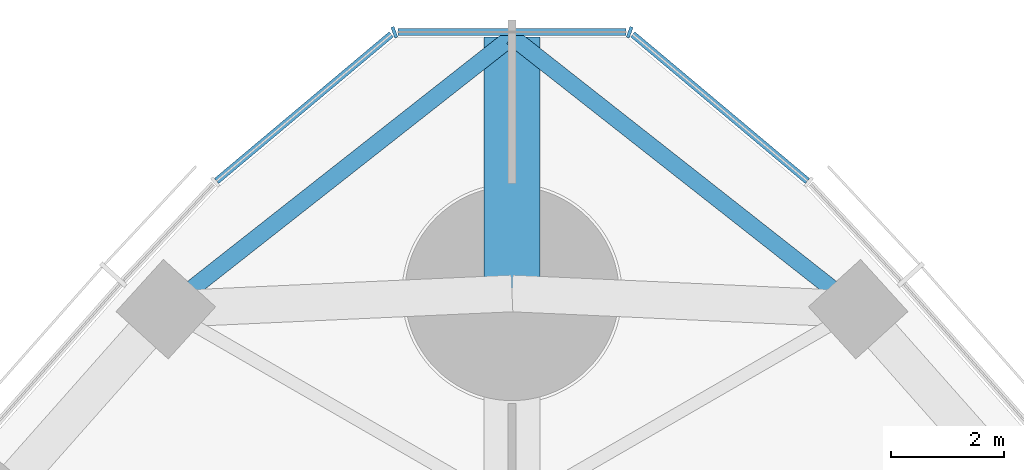
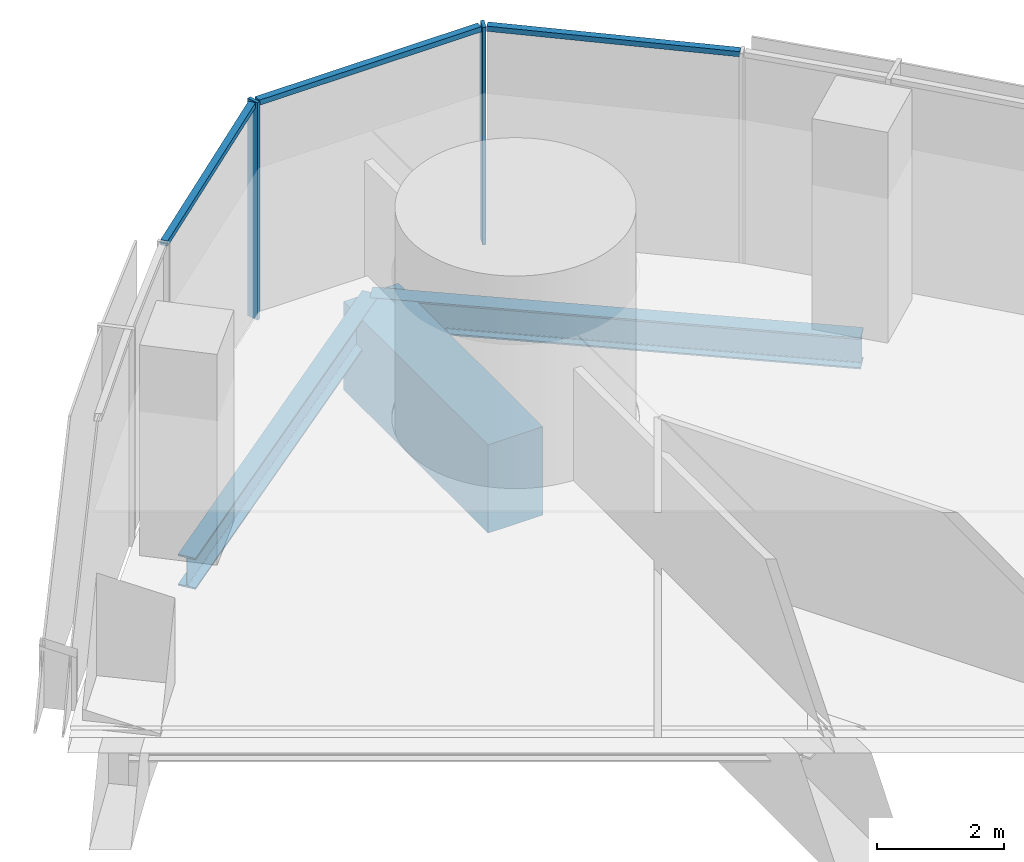
# One storey, part 9 of 21: 5 members, 3 beams, 1 element without a shape of its own.
"""IFC4 building model written with IfcOpenShell, lengths in metres."""

import ifcopenshell
import ifcopenshell.guid

model = None  # the IFC model being written
_history = None  # IfcOwnerHistory: only IFC2X3 demands one
_inside = {}  # id of a spatial element -> (the spatial element, [elements in it])
_under = {}  # id of a project, library or spatial element -> (it, [spatial elements below it])
_declared = {}  # id of a project -> (the project, [libraries it declares])
_typed = {}  # id of a type object -> (the type object, [elements of that type])
_made_of = {}  # id of a material, layer set ... -> (it, [elements and type objects made of it])


def new_model(schema):
    """Start an empty IFC model of exactly this schema.

    Asked for "IFC4X3", IfcOpenShell would pick the latest addendum, in which some entities
    have other attributes; the version numbers below select the first issue.
    IFC2X3 requires an IfcOwnerHistory on every rooted entity: one is made here for all.
    """
    global model, _history
    if schema == "IFC4X3":
        model = ifcopenshell.file(schema_version=(4, 3, 0, 0))
    else:
        model = ifcopenshell.file(schema=schema)
    _inside.clear()
    _under.clear()
    _declared.clear()
    _typed.clear()
    _made_of.clear()
    _history = None
    if model.schema == "IFC2X3":
        org = make("IfcOrganization", Name="unknown")
        user = make(
            "IfcPersonAndOrganization",
            ThePerson=make("IfcPerson", FamilyName="unknown"),
            TheOrganization=org,
        )
        app = make(
            "IfcApplication",
            ApplicationDeveloper=org,
            Version="unknown",
            ApplicationFullName="unknown",
            ApplicationIdentifier="unknown",
        )
        _history = make(
            "IfcOwnerHistory",
            OwningUser=user,
            OwningApplication=app,
            ChangeAction="ADDED",
            CreationDate=0,
        )
    return model


def make(cls, **values):
    """One entity of the class cls with the attributes given. An attribute that is None is left unset."""
    return model.create_entity(
        cls, **{name: value for name, value in values.items() if value is not None}
    )


def rooted(cls, **values):
    """An entity with a GlobalId (a new one), such as an element, a storey or a relation."""
    return make(cls, GlobalId=ifcopenshell.guid.new(), OwnerHistory=_history, **values)


def si_unit(unit_type, name, prefix=None):
    """IfcSIUnit, for example si_unit("LENGTHUNIT", "METRE", prefix="MILLI")."""
    return make("IfcSIUnit", UnitType=unit_type, Prefix=prefix, Name=name)


def assignment(units):
    """IfcUnitAssignment: the units of a project."""
    return None if units is None else make("IfcUnitAssignment", Units=units)


def point(xyz):
    """IfcCartesianPoint."""
    return None if xyz is None else make("IfcCartesianPoint", Coordinates=xyz)


def direction(xyz):
    """IfcDirection."""
    return None if xyz is None else make("IfcDirection", DirectionRatios=xyz)


def frame(location, z_axis=None, x_axis=None):
    """IfcAxis2Placement3D, a coordinate frame: its origin and axes. An axis left out is left unset."""
    return make(
        "IfcAxis2Placement3D",
        Location=point(location),
        Axis=direction(z_axis),
        RefDirection=direction(x_axis),
    )


def frame_2d(location, x_axis=None):
    """IfcAxis2Placement2D, a coordinate frame in the plane: its origin and x axis."""
    return make(
        "IfcAxis2Placement2D", Location=point(location), RefDirection=direction(x_axis)
    )


def origin():
    """The frame at (0, 0, 0) with its axes left unset."""
    return frame((0.0, 0.0, 0.0))


def origin_2d():
    """The frame at (0, 0) in the plane with its x axis left unset."""
    return frame_2d((0.0, 0.0))


def place(relative_to, where):
    """IfcLocalPlacement: puts the frame where relative to a parent placement (None: the world)."""
    return make(
        "IfcLocalPlacement", PlacementRelTo=relative_to, RelativePlacement=where
    )


def context(
    kind, dimensions, precision=None, world=None, true_north=None, identifier=None
):
    """IfcGeometricRepresentationContext, for example the 3D "Model" context."""
    return make(
        "IfcGeometricRepresentationContext",
        ContextIdentifier=identifier,
        ContextType=kind,
        CoordinateSpaceDimension=dimensions,
        Precision=precision,
        WorldCoordinateSystem=world,
        TrueNorth=true_north,
    )


def subcontext(parent, identifier, kind, view, scale=None):
    """IfcGeometricRepresentationSubContext, for example "Body" below "Model"."""
    return make(
        "IfcGeometricRepresentationSubContext",
        ContextIdentifier=identifier,
        ContextType=kind,
        ParentContext=parent,
        TargetScale=scale,
        TargetView=view,
    )


def project(units=None, contexts=None):
    """IfcProject with its units and contexts."""
    return rooted(
        "IfcProject",
        Name="project",
        RepresentationContexts=contexts,
        UnitsInContext=assignment(units),
    )


def spatial(cls, under=None, at=None, **own):
    """A site, building, storey or space (cls), placed at a placement, below another one or the project."""
    s = rooted(cls, ObjectPlacement=at, **own)
    if under is not None:
        _under.setdefault(under.id(), (under, []))[1].append(s)
    return s


def profile(cls, at=None, kind="AREA", **sizes):
    """A parametric profile (cls). Its sizes go by their IFC names, for example OverallWidth=200.0."""
    return make(cls, ProfileType=kind, Position=at, **sizes)


def rectangle(**sizes):
    """IfcRectangleProfileDef."""
    return profile("IfcRectangleProfileDef", **sizes)


def i_section(**sizes):
    """IfcIShapeProfileDef."""
    return profile("IfcIShapeProfileDef", **sizes)


def extrude(swept, where, along, depth):
    """IfcExtrudedAreaSolid: the profile swept, set in the frame where, extruded along a direction by depth."""
    return make(
        "IfcExtrudedAreaSolid",
        SweptArea=swept,
        Position=where,
        ExtrudedDirection=direction(along),
        Depth=depth,
    )


def shape(context_of_items, identifier, shape_type, items):
    """IfcShapeRepresentation: the items that make up one representation, for example the "Body"."""
    return make(
        "IfcShapeRepresentation",
        ContextOfItems=context_of_items,
        RepresentationIdentifier=identifier,
        RepresentationType=shape_type,
        Items=items,
    )


def material(Name=None, Category=None):
    """IfcMaterial."""
    return make("IfcMaterial", Name=Name, Category=Category)


def material_profile(
    of_material, cross_section, Name=None, Category=None, Priority=None
):
    """IfcMaterialProfile: a cross section and its material."""
    return make(
        "IfcMaterialProfile",
        Name=Name,
        Material=of_material,
        Profile=cross_section,
        Priority=Priority,
        Category=Category,
    )


def profile_set(profiles, Name=None, composite=None):
    """IfcMaterialProfileSet."""
    return make(
        "IfcMaterialProfileSet",
        Name=Name,
        MaterialProfiles=profiles,
        CompositeProfile=composite,
    )


def made_of(thing, what):
    """Note that an element or type object is made of a material, layer set ...; save() writes the relation."""
    if what is not None:
        _made_of.setdefault(what.id(), (what, []))[1].append(thing)
    return thing


def type_object(cls, material=None, **own):
    """A type object (cls), such as IfcWallType, which elements share."""
    return made_of(rooted(cls, **own), material)


def element(
    cls,
    number,
    at=None,
    inside=None,
    cuts=None,
    type_object=None,
    material=None,
    context=None,
    identifier="Body",
    shape_type=None,
    held_by="IfcProductDefinitionShape",
    body=None,
    shapes=None,
    **own,
):
    """One element of the class cls, such as IfcWall. Its Tag is "e" and its number.

    at: its placement. inside: the storey or other place that contains it. cuts: it is an
    opening in that element (IfcRelVoidsElement). A single representation is given by context,
    identifier, shape_type and body (its items); several are given by shapes. held_by: the class
    of the entity that holds the representations. save() writes the other relations.
    """
    e = rooted(cls, Tag="e%d" % number, ObjectPlacement=at, **own)
    if body is not None:
        shapes = [shape(context, identifier, shape_type, body)]
    if shapes is not None:
        e.Representation = make(held_by, Representations=shapes)
    if inside is not None:
        _inside.setdefault(inside.id(), (inside, []))[1].append(e)
    if cuts is not None:
        rooted(
            "IfcRelVoidsElement", RelatingBuildingElement=cuts, RelatedOpeningElement=e
        )
    if type_object is not None:
        _typed.setdefault(type_object.id(), (type_object, []))[1].append(e)
    return made_of(e, material)


def aggregate(whole, parts):
    """IfcRelAggregates: a whole, such as a stair, and the parts it consists of."""
    return rooted("IfcRelAggregates", RelatingObject=whole, RelatedObjects=parts)


def save(model, path):
    """Write the relations noted so far, then the file.

    IfcRelAggregates (storeys below a building ...), IfcRelContainedInSpatialStructure (elements
    in a storey), IfcRelDefinesByType, IfcRelAssociatesMaterial and IfcRelDeclares: one each for
    every whole, place, type object, material and project.
    """
    for whole, parts in _under.values():
        aggregate(whole, parts)
    for where, things in _inside.values():
        rooted(
            "IfcRelContainedInSpatialStructure",
            RelatedElements=things,
            RelatingStructure=where,
        )
    for kind, things in _typed.values():
        rooted("IfcRelDefinesByType", RelatedObjects=things, RelatingType=kind)
    for what, things in _made_of.values():
        rooted("IfcRelAssociatesMaterial", RelatedObjects=things, RelatingMaterial=what)
    for by, libraries in _declared.values():
        rooted("IfcRelDeclares", RelatingContext=by, RelatedDefinitions=libraries)
    model.write(path)


model = new_model("IFC4")

# Units and contexts
model_context = context("Model", 3, precision=1e-05, world=origin(), true_north=direction((0.0, 1.0)))
body_context = subcontext(model_context, "Body", "Model", "MODEL_VIEW")
ifc_project = project(units=[si_unit("LENGTHUNIT", "METRE"), si_unit("AREAUNIT", "SQUARE_METRE"), si_unit("VOLUMEUNIT", "CUBIC_METRE"), si_unit("PLANEANGLEUNIT", "RADIAN"), si_unit("MASSUNIT", "GRAM", prefix="KILO")], contexts=[model_context])

# Site, building, storey
site_placement = place(None, origin())
site = spatial("IfcSite", under=ifc_project, at=site_placement, CompositionType="ELEMENT")
building_placement = place(site_placement, origin())
building = spatial("IfcBuilding", under=site, at=building_placement, Name="Trefoil Bronze Tower", CompositionType="ELEMENT")
storey_placement = place(building_placement, frame((0.0, 0.0, 145.10009765625)))
storey = spatial("IfcBuildingStorey", under=building, at=storey_placement, Name="L33", CompositionType="ELEMENT", Elevation=145.10009765625)

# Curtain wall, members
ifc_material_1 = material(Name="Tinted solar-control glass", Category="glass")
curtain_wall_type = type_object("IfcCurtainWallType", Name="Bronze rounded corner curtain wall", PredefinedType="USERDEFINED", material=ifc_material_1)
curtain_wall_placement = place(storey_placement, origin())
curtain_wall = element("IfcCurtainWall", 1, at=curtain_wall_placement, inside=storey, type_object=curtain_wall_type, Name="CW-B L33 K2", ObjectType="CURTAIN WALL", PredefinedType="USERDEFINED")
ifc_material_2 = material(Name="Bronze-finish aluminium", Category="aluminium")
ifc_material_profile_1 = material_profile(ifc_material_2, rectangle(XDim=0.199951171875, YDim=0.06005859375, at=origin_2d()), Name="CW-B mullion")
ifc_profile_set_1 = profile_set([ifc_material_profile_1], Name="Bronze-finish aluminium")
member_type_1 = type_object("IfcMemberType", Name="Bronze rounded corner curtain wall mullion", PredefinedType="MULLION", material=ifc_profile_set_1)
member_1_placement = place(storey_placement, frame((2.08642578125, 39.631591796875, 0.0), z_axis=(0.0, 0.0, 1.0), x_axis=(-0.342020143326, -0.939692620786, 0.0)))
member_1 = element("IfcMember", 2, at=member_1_placement, type_object=member_type_1, Name="CW-B L33 K2 mullion 2", PredefinedType="MULLION", context=body_context, shape_type="SweptSolid", body=[
    extrude(rectangle(XDim=0.199951171875, YDim=0.06005859375, at=origin_2d()), origin(), (0.0, 0.0, 1.0), 4.179931640625),
])
member_2_placement = place(storey_placement, frame((-2.08642578125, 39.631591796875, 0.0), z_axis=(0.0, 0.0, 1.0), x_axis=(0.342020143326, -0.939692620786, 0.0)))
member_2 = element("IfcMember", 3, at=member_2_placement, type_object=member_type_1, Name="CW-B L33 K2 mullion 3", PredefinedType="MULLION", context=body_context, shape_type="SweptSolid", body=[
    extrude(rectangle(XDim=0.199951171875, YDim=0.06005859375, at=origin_2d()), origin(), (0.0, 0.0, 1.0), 4.179931640625),
])
ifc_material_3 = material(Name="Bronze-finish aluminium", Category="aluminium")
ifc_material_profile_2 = material_profile(ifc_material_3, rectangle(XDim=0.1201171875, YDim=0.10009765625, at=origin_2d()), Name="CW-B transom")
ifc_profile_set_2 = profile_set([ifc_material_profile_2], Name="Bronze-finish aluminium")
member_type_2 = type_object("IfcMemberType", Name="Bronze rounded corner curtain wall transom", PredefinedType="USERDEFINED", material=ifc_profile_set_2)
member_3_placement = place(storey_placement, frame((5.237548828125, 36.9951171875, 4.1298828125), z_axis=(-0.766049624684, 0.642781434487, 0.0), x_axis=(-0.642781434487, -0.766049624684, 0.0)))
member_3 = element("IfcMember", 4, at=member_3_placement, type_object=member_type_2, Name="CW-B L33 K2 transom 1", ObjectType="TRANSOM", PredefinedType="USERDEFINED", context=body_context, shape_type="SweptSolid", body=[
    extrude(rectangle(XDim=0.1201171875, YDim=0.10009765625, at=origin_2d()), origin(), (0.0, 0.0, 1.0), 4.04443359375),
])
member_4_placement = place(storey_placement, frame((2.022216796875, 39.637451171875, 4.1298828125), z_axis=(-1.0, 0.0, 0.0), x_axis=(0.0, -1.0, 0.0)))
member_4 = element("IfcMember", 5, at=member_4_placement, type_object=member_type_2, Name="CW-B L33 K2 transom 2", ObjectType="TRANSOM", PredefinedType="USERDEFINED", context=body_context, shape_type="SweptSolid", body=[
    extrude(rectangle(XDim=0.1201171875, YDim=0.10009765625, at=origin_2d()), origin(), (0.0, 0.0, 1.0), 4.04443359375),
])
member_5_placement = place(storey_placement, frame((-2.139404296875, 39.5947265625, 4.1298828125), z_axis=(-0.766049624684, -0.642781434487, 0.0), x_axis=(0.642781434487, -0.766049624684, 0.0)))
member_5 = element("IfcMember", 6, at=member_5_placement, type_object=member_type_2, Name="CW-B L33 K2 transom 3", ObjectType="TRANSOM", PredefinedType="USERDEFINED", context=body_context, shape_type="SweptSolid", body=[
    extrude(rectangle(XDim=0.1201171875, YDim=0.10009765625, at=origin_2d()), origin(), (0.0, 0.0, 1.0), 4.04443359375),
])
aggregate(curtain_wall, [member_1, member_2, member_3, member_4, member_5])

# Beams
ifc_material_4 = material(Name="Concrete B80", Category="concrete")
ifc_material_profile_3 = material_profile(ifc_material_4, rectangle(XDim=1.0, YDim=1.699951171875, at=origin_2d()), Name="RC 1000x1700")
ifc_profile_set_3 = profile_set([ifc_material_profile_3], Name="Concrete B80")
beam_type_1 = type_object("IfcBeamType", Name="Corner cantilever RC 1000x1700", PredefinedType="BEAM", material=ifc_profile_set_3)
beam_placement = place(storey_placement, frame((0.0, 35.0, -1.050048828125), z_axis=(0.0, 1.0, 0.0), x_axis=(-1.0, 0.0, 0.0)))
element("IfcBeam", 7, at=beam_placement, inside=storey, type_object=beam_type_1, Name="Corner cantilever K2 L33", PredefinedType="BEAM", context=body_context, shape_type="SweptSolid", body=[
    extrude(rectangle(XDim=1.0, YDim=1.699951171875, at=origin_2d()), origin(), (0.0, 0.0, 1.0), 4.54931640625),
])
ifc_material_5 = material(Name="Steel C355", Category="steel")
ifc_material_profile_4 = material_profile(ifc_material_5, i_section(OverallWidth=0.300048828125, OverallDepth=0.60009765625, WebThickness=0.015380859375, FlangeThickness=0.030029296875, FilletRadius=0.027099609375, at=origin_2d()), Name="HEB 600")
ifc_profile_set_4 = profile_set([ifc_material_profile_4], Name="Steel C355")
beam_type_2 = type_object("IfcBeamType", Name="Corner edge beam HEB 600", PredefinedType="BEAM", material=ifc_profile_set_4)
for number, where, z_axis, x_axis, name in (
    (8, (6.13916015625, 34.72119140625, -0.5), (-0.786038406433, 0.61817766347, 0.0), (-0.61817766347, -0.786038406433, 0.0), "Corner edge beam F2A L33"),
    (9, (-6.13916015625, 34.72119140625, -0.5), (0.786038406433, 0.61817766347, 0.0), (-0.61817766347, 0.786038406433, 0.0), "Corner edge beam F3B L33"),
):
    element("IfcBeam", number, at=place(storey_placement, frame(where, z_axis=z_axis, x_axis=x_axis)), inside=storey, type_object=beam_type_2, Name=name, PredefinedType="BEAM", context=body_context, shape_type="SweptSolid", body=[
        extrude(i_section(OverallWidth=0.300048828125, OverallDepth=0.60009765625, WebThickness=0.015380859375, FlangeThickness=0.030029296875, FilletRadius=0.027099609375, at=origin_2d()), origin(), (0.0, 0.0, 1.0), 7.810302734375),
    ])

save(model, "model.ifc")
